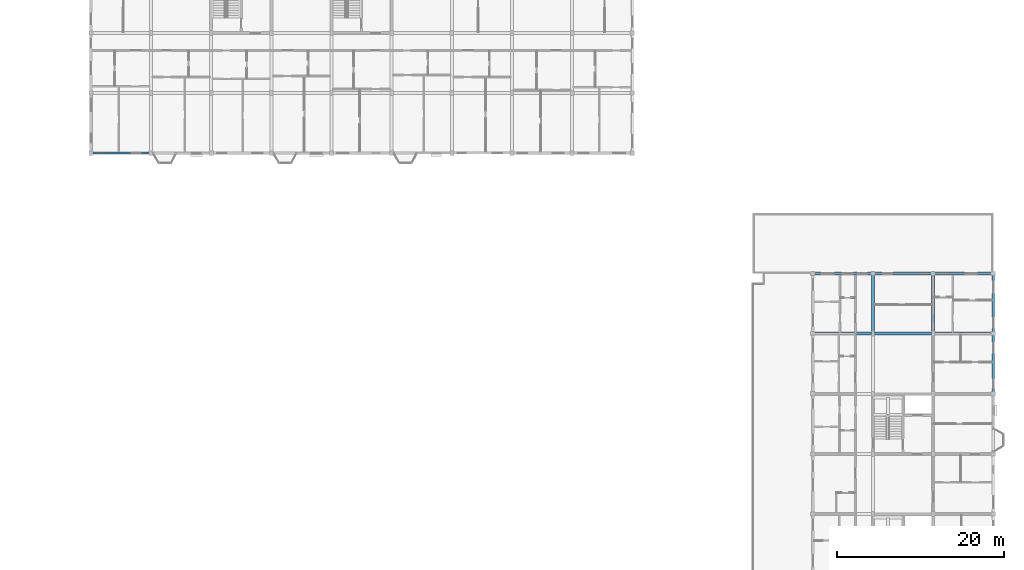
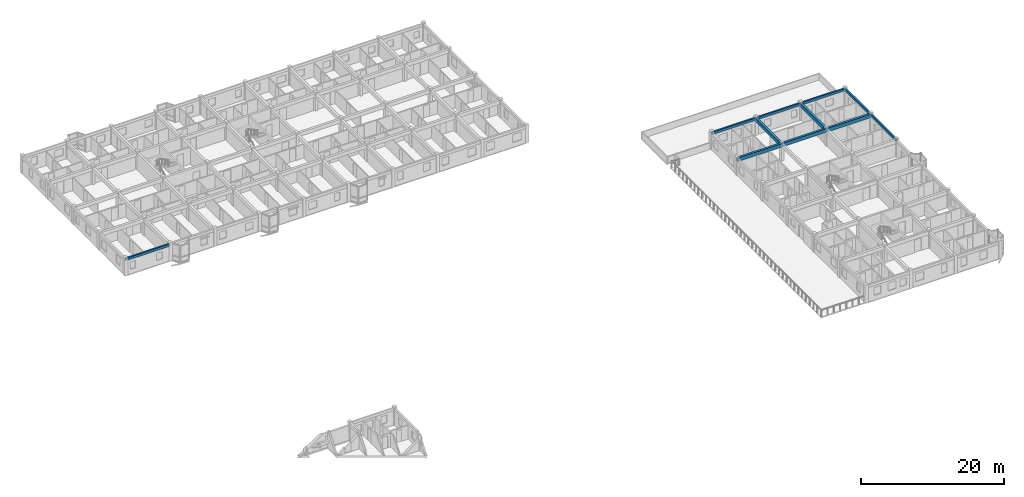
# One storey, part 27 of 70: 11 beams.
"""IFC4 building model written with IfcOpenShell, lengths in metres."""

from ifc_helpers import new_model, si_unit, direction, frame, origin, origin_2d, place, context, subcontext, project, spatial, rectangle, extrude, material, material_profile, profile_set, type_object, element, save


model = new_model("IFC4")

# Units and contexts
model_context = context("Model", 3, precision=1e-05, world=origin(), true_north=direction((0.0, 1.0)))
body_context = subcontext(model_context, "Body", "Model", "MODEL_VIEW")
ifc_project = project(units=[si_unit("LENGTHUNIT", "METRE"), si_unit("AREAUNIT", "SQUARE_METRE"), si_unit("VOLUMEUNIT", "CUBIC_METRE"), si_unit("PLANEANGLEUNIT", "RADIAN"), si_unit("MASSUNIT", "GRAM", prefix="KILO"), si_unit("THERMODYNAMICTEMPERATUREUNIT", "KELVIN"), si_unit("POWERUNIT", "WATT")], contexts=[model_context])

# Site, building, storey
site_placement = place(None, origin())
site = spatial("IfcSite", under=ifc_project, at=site_placement, CompositionType="ELEMENT")
building_placement = place(site_placement, origin())
building = spatial("IfcBuilding", under=site, at=building_placement, Name="Tavuni Mirador Residences", CompositionType="ELEMENT")
storey_placement = place(building_placement, frame((0.0, 0.0, 23.39990234375)))
storey = spatial("IfcBuildingStorey", under=building, at=storey_placement, Name="L07", CompositionType="ELEMENT", Elevation=23.39990234375)

# Beams
ifc_material = material(Name="Precast concrete C40/50", Category="concrete")
ifc_material_profile_1 = material_profile(ifc_material, rectangle(XDim=0.35009765625, YDim=0.60009765625, at=origin_2d()), Name="PC 350x600", Category="concrete")
ifc_profile_set_1 = profile_set([ifc_material_profile_1], Name="Precast concrete C40/50")
beam_type_1 = type_object("IfcBeamType", Name="BT-B600", PredefinedType="BEAM", material=ifc_profile_set_1)
beam_1_placement = place(storey_placement, frame((97.199951171875, 122.39990234375, 2.590087890625), z_axis=(1.0, 0.0, 0.0), x_axis=(0.0, 1.0, 0.0)))
element("IfcBeam", 1, at=beam_1_placement, inside=storey, type_object=beam_type_1, Name="BMX-BLK-D-L07-00-05", PredefinedType="BEAM", context=body_context, shape_type="SweptSolid", body=[
    extrude(rectangle(XDim=0.35009765625, YDim=0.60009765625, at=origin_2d()), origin(), (0.0, 0.0, 1.0), 7.199951171875),
])
beam_2_placement = place(storey_placement, frame((104.39990234375, 122.39990234375, 2.590087890625), z_axis=(1.0, 0.0, 0.0), x_axis=(0.0, 1.0, 0.0)))
element("IfcBeam", 2, at=beam_2_placement, inside=storey, type_object=beam_type_1, Name="BMX-BLK-D-L07-01-05", PredefinedType="BEAM", context=body_context, shape_type="SweptSolid", body=[
    extrude(rectangle(XDim=0.35009765625, YDim=0.60009765625, at=origin_2d()), origin(), (0.0, 0.0, 1.0), 7.2001953125),
])
beam_3_placement = place(storey_placement, frame((111.60009765625, 122.39990234375, 2.590087890625), z_axis=(1.0, 0.0, 0.0), x_axis=(0.0, 1.0, 0.0)))
element("IfcBeam", 3, at=beam_3_placement, inside=storey, type_object=beam_type_1, Name="BMX-BLK-D-L07-02-05", PredefinedType="BEAM", context=body_context, shape_type="SweptSolid", body=[
    extrude(rectangle(XDim=0.35009765625, YDim=0.60009765625, at=origin_2d()), origin(), (0.0, 0.0, 1.0), 7.199951171875),
])
for number, where, z_axis, x_axis, name in (
    (4, (104.39990234375, 122.39990234375, 2.590087890625), (0.0, 1.0, 0.0), (-1.0, 0.0, 0.0), "BMY-BLK-D-L07-01-05"),
    (5, (111.60009765625, 122.39990234375, 2.590087890625), (0.0, 1.0, 0.0), (-1.0, 0.0, 0.0), "BMY-BLK-D-L07-02-05"),
):
    element("IfcBeam", number, at=place(storey_placement, frame(where, z_axis=z_axis, x_axis=x_axis)), inside=storey, type_object=beam_type_1, Name=name, PredefinedType="BEAM", context=body_context, shape_type="SweptSolid", body=[
        extrude(rectangle(XDim=0.35009765625, YDim=0.60009765625, at=origin_2d()), origin(), (0.0, 0.0, 1.0), 7.2001953125),
    ])
ifc_material_profile_2 = material_profile(ifc_material, rectangle(XDim=0.25, YDim=0.419921875, at=origin_2d()), Name="PC 250x420", Category="concrete")
ifc_profile_set_2 = profile_set([ifc_material_profile_2], Name="Precast concrete C40/50")
beam_type_2 = type_object("IfcBeamType", Name="BT-SP420", PredefinedType="SPANDREL", material=ifc_profile_set_2)
for number, where, z_axis, x_axis, name in (
    (6, (10.800048828125, 144.0, 2.675048828125), (1.0, 0.0, 0.0), (0.0, 1.0, 0.0), "BMX-BLK-C-L07-00-00"),
    (7, (97.199951171875, 129.60009765625, 2.68017578125), (1.0, 0.0, 0.0), (0.0, 1.0, 0.0), "BMX-BLK-D-L07-00-06"),
):
    element("IfcBeam", number, at=place(storey_placement, frame(where, z_axis=z_axis, x_axis=x_axis)), inside=storey, type_object=beam_type_2, Name=name, PredefinedType="SPANDREL", context=body_context, shape_type="SweptSolid", body=[
        extrude(rectangle(XDim=0.25, YDim=0.419921875, at=origin_2d()), origin(), (0.0, 0.0, 1.0), 7.199951171875),
    ])
beam_4_placement = place(storey_placement, frame((104.39990234375, 129.60009765625, 2.68017578125), z_axis=(1.0, 0.0, 0.0), x_axis=(0.0, 1.0, 0.0)))
element("IfcBeam", 8, at=beam_4_placement, inside=storey, type_object=beam_type_2, Name="BMX-BLK-D-L07-01-06", PredefinedType="SPANDREL", context=body_context, shape_type="SweptSolid", body=[
    extrude(rectangle(XDim=0.25, YDim=0.419921875, at=origin_2d()), origin(), (0.0, 0.0, 1.0), 7.2001953125),
])
for number, where, z_axis, x_axis, name in (
    (9, (111.60009765625, 129.60009765625, 2.68017578125), (1.0, 0.0, 0.0), (0.0, 1.0, 0.0), "BMX-BLK-D-L07-02-06"),
    (10, (118.800048828125, 115.199951171875, 2.68017578125), (0.0, 1.0, 0.0), (-1.0, 0.0, 0.0), "BMY-BLK-D-L07-03-04"),
):
    element("IfcBeam", number, at=place(storey_placement, frame(where, z_axis=z_axis, x_axis=x_axis)), inside=storey, type_object=beam_type_2, Name=name, PredefinedType="SPANDREL", context=body_context, shape_type="SweptSolid", body=[
        extrude(rectangle(XDim=0.25, YDim=0.419921875, at=origin_2d()), origin(), (0.0, 0.0, 1.0), 7.199951171875),
    ])
beam_5_placement = place(storey_placement, frame((118.800048828125, 122.39990234375, 2.68017578125), z_axis=(0.0, 1.0, 0.0), x_axis=(-1.0, 0.0, 0.0)))
element("IfcBeam", 11, at=beam_5_placement, inside=storey, type_object=beam_type_2, Name="BMY-BLK-D-L07-03-05", PredefinedType="SPANDREL", context=body_context, shape_type="SweptSolid", body=[
    extrude(rectangle(XDim=0.25, YDim=0.419921875, at=origin_2d()), origin(), (0.0, 0.0, 1.0), 7.2001953125),
])

save(model, "model.ifc")
